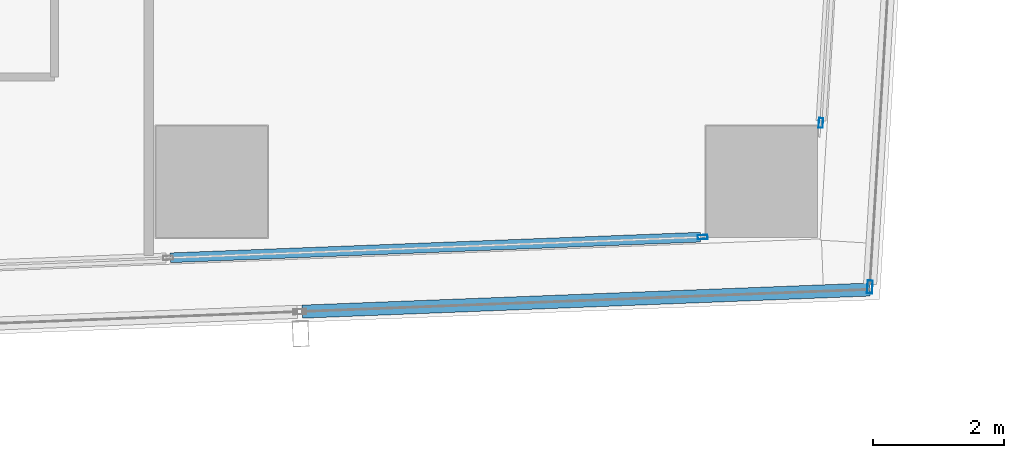
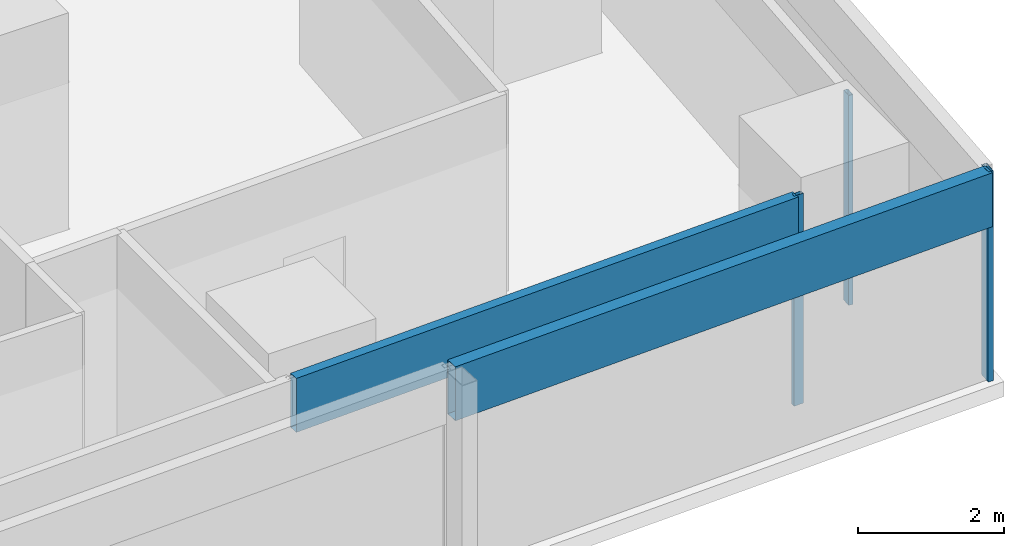
# One storey, part 12 of 40: 5 members, 4 elements without a shape of their own.
"""IFC4 building model written with IfcOpenShell, lengths in metres."""

from ifc_helpers import new_model, si_unit, direction, frame, origin, origin_2d, place, context, subcontext, project, spatial, hollow_rectangle, extrude, material, material_profile, profile_set, type_object, element, aggregate, save


model = new_model("IFC4")

# Units and contexts
model_context = context("Model", 3, precision=1e-05, world=origin(), true_north=direction((0.0, 1.0)))
body_context = subcontext(model_context, "Body", "Model", "MODEL_VIEW")
ifc_project = project(units=[si_unit("LENGTHUNIT", "METRE"), si_unit("AREAUNIT", "SQUARE_METRE"), si_unit("VOLUMEUNIT", "CUBIC_METRE"), si_unit("PLANEANGLEUNIT", "RADIAN"), si_unit("MASSUNIT", "GRAM", prefix="KILO")], contexts=[model_context])

# Site, building, storey
site_placement = place(None, origin())
site = spatial("IfcSite", under=ifc_project, at=site_placement, CompositionType="ELEMENT")
building_placement = place(site_placement, origin())
building = spatial("IfcBuilding", under=site, at=building_placement, Name="Rekha Terrace Tower", CompositionType="ELEMENT")
storey_placement = place(building_placement, frame((0.0, 0.0, 125.300048828125)))
storey = spatial("IfcBuildingStorey", under=building, at=storey_placement, Name="L31", CompositionType="ELEMENT", Elevation=125.300048828125)

# Curtain wall, member
ifc_material_1 = material(Name="Aluminium framing", Category="aluminium")
curtain_wall_type_1 = type_object("IfcCurtainWallType", Name="CW1 double skin inner glazing", PredefinedType="USERDEFINED", material=ifc_material_1)
curtain_wall_1_placement = place(storey_placement, origin())
curtain_wall_1 = element("IfcCurtainWall", 1, at=curtain_wall_1_placement, inside=storey, type_object=curtain_wall_type_1, Name="CW1 double skin inner glazing", ObjectType="DOUBLE SKIN INNER GLAZING", PredefinedType="USERDEFINED")
ifc_material_2 = material(Name="Aluminium mullion section", Category="aluminium")
ifc_material_profile_1 = material_profile(ifc_material_2, hollow_rectangle(XDim=0.06494140625, YDim=0.14990234375, WallThickness=0.00390625, at=origin_2d()), Name="AL RHS 65x150")
ifc_profile_set_1 = profile_set([ifc_material_profile_1], Name="Aluminium mullion section")
member_type_1 = type_object("IfcMemberType", Name="CW1 mullion RHS 65 x 150", PredefinedType="MULLION", material=ifc_profile_set_1)
member_1_placement = place(storey_placement, frame((66.29736328125, 15.95556640625, 0.0), z_axis=(0.0, 0.0, 1.0), x_axis=(-0.038889971345, 0.999243498917, 0.0)))
member_1 = element("IfcMember", 2, at=member_1_placement, type_object=member_type_1, Name="CW1 mullion 6", PredefinedType="MULLION", context=body_context, shape_type="SweptSolid", body=[
    extrude(hollow_rectangle(XDim=0.06494140625, YDim=0.14990234375, WallThickness=0.00390625, at=origin_2d()), origin(), (0.0, 0.0, 1.0), 3.5),
])

curtain_wall_2_placement = place(storey_placement, origin())
curtain_wall_2 = element("IfcCurtainWall", 3, at=curtain_wall_2_placement, inside=storey, type_object=curtain_wall_type_1, Name="CW1 double skin inner glazing", ObjectType="DOUBLE SKIN INNER GLAZING", PredefinedType="USERDEFINED")
member_2_placement = place(storey_placement, frame((68.103515625, 17.69921875, 0.0), z_axis=(0.0, 0.0, 1.0), x_axis=(-0.998127987024, 0.061159803131, 0.0)))
member_2 = element("IfcMember", 4, at=member_2_placement, type_object=member_type_1, Name="CW1 mullion 1", PredefinedType="MULLION", context=body_context, shape_type="SweptSolid", body=[
    extrude(hollow_rectangle(XDim=0.06494140625, YDim=0.14990234375, WallThickness=0.00390625, at=origin_2d()), origin(), (0.0, 0.0, 1.0), 3.5),
])
aggregate(curtain_wall_2, [member_2])

# Member
ifc_material_3 = material(Name="Insulated aluminium spandrel box", Category="aluminium")
ifc_material_profile_2 = material_profile(ifc_material_3, hollow_rectangle(XDim=0.14990234375, YDim=0.89990234375, WallThickness=0.0029296875, at=origin_2d()), Name="AL SPANDREL BOX 150x900")
ifc_profile_set_2 = profile_set([ifc_material_profile_2], Name="Insulated aluminium spandrel box")
member_type_2 = type_object("IfcMemberType", Name="CW1 spandrel transom 150 x 900", PredefinedType="USERDEFINED", material=ifc_profile_set_2)
member_3_placement = place(storey_placement, frame((58.165771484375, 15.63916015625, 3.050048828125), z_axis=(0.999243585207, 0.038887754153, 0.0), x_axis=(-0.038887754153, 0.999243585207, 0.0)))
member_3 = element("IfcMember", 5, at=member_3_placement, type_object=member_type_2, Name="CW1 spandrel transom 5", ObjectType="TRANSOM", PredefinedType="USERDEFINED", context=body_context, shape_type="SweptSolid", body=[
    extrude(hollow_rectangle(XDim=0.14990234375, YDim=0.89990234375, WallThickness=0.0029296875, at=origin_2d()), origin(), (0.0, 0.0, 1.0), 8.10498046875),
])

aggregate(curtain_wall_1, [member_1, member_3])

# Curtain wall, member
curtain_wall_type_2 = type_object("IfcCurtainWallType", Name="CW2 double skin outer glazing", PredefinedType="USERDEFINED", material=ifc_material_1)
curtain_wall_3_placement = place(storey_placement, origin())
curtain_wall_3 = element("IfcCurtainWall", 6, at=curtain_wall_3_placement, inside=storey, type_object=curtain_wall_type_2, Name="CW2 double skin outer glazing", ObjectType="DOUBLE SKIN OUTER GLAZING", PredefinedType="USERDEFINED")
ifc_material_profile_3 = material_profile(ifc_material_2, hollow_rectangle(XDim=0.080078125, YDim=0.199951171875, WallThickness=0.00390625, at=origin_2d()), Name="AL RHS 80x200")
ifc_profile_set_3 = profile_set([ifc_material_profile_3], Name="Aluminium mullion section")
member_type_3 = type_object("IfcMemberType", Name="CW2 mullion RHS 80 x 200", PredefinedType="MULLION", material=ifc_profile_set_3)
member_4_placement = place(storey_placement, frame((68.8515625, 15.194091796875, 0.0), z_axis=(0.0, 0.0, 1.0), x_axis=(-0.998127987024, 0.061159803131, 0.0)))
member_4 = element("IfcMember", 7, at=member_4_placement, type_object=member_type_3, Name="CW2 mullion 1", PredefinedType="MULLION", context=body_context, shape_type="SweptSolid", body=[
    extrude(hollow_rectangle(XDim=0.080078125, YDim=0.199951171875, WallThickness=0.00390625, at=origin_2d()), origin(), (0.0, 0.0, 1.0), 3.5),
])
aggregate(curtain_wall_3, [member_4])

curtain_wall_4_placement = place(storey_placement, origin())
curtain_wall_4 = element("IfcCurtainWall", 8, at=curtain_wall_4_placement, inside=storey, type_object=curtain_wall_type_2, Name="CW2 double skin outer glazing", ObjectType="DOUBLE SKIN OUTER GLAZING", PredefinedType="USERDEFINED")
ifc_material_profile_4 = material_profile(ifc_material_3, hollow_rectangle(XDim=0.199951171875, YDim=0.89990234375, WallThickness=0.0029296875, at=origin_2d()), Name="AL SPANDREL BOX 200x900")
ifc_profile_set_4 = profile_set([ifc_material_profile_4], Name="Insulated aluminium spandrel box")
member_type_4 = type_object("IfcMemberType", Name="CW2 spandrel transom 200 x 900", PredefinedType="USERDEFINED", material=ifc_profile_set_4)
member_5_placement = place(storey_placement, frame((60.18408203125, 14.81689453125, 3.050048828125), z_axis=(0.99924276334, 0.038908866757, 0.0), x_axis=(-0.038908866757, 0.99924276334, 0.0)))
member_5 = element("IfcMember", 9, at=member_5_placement, type_object=member_type_4, Name="CW2 spandrel transom 5", ObjectType="TRANSOM", PredefinedType="USERDEFINED", context=body_context, shape_type="SweptSolid", body=[
    extrude(hollow_rectangle(XDim=0.199951171875, YDim=0.89990234375, WallThickness=0.0029296875, at=origin_2d()), origin(), (0.0, 0.0, 1.0), 8.671630859375),
])
aggregate(curtain_wall_4, [member_5])

save(model, "model.ifc")
